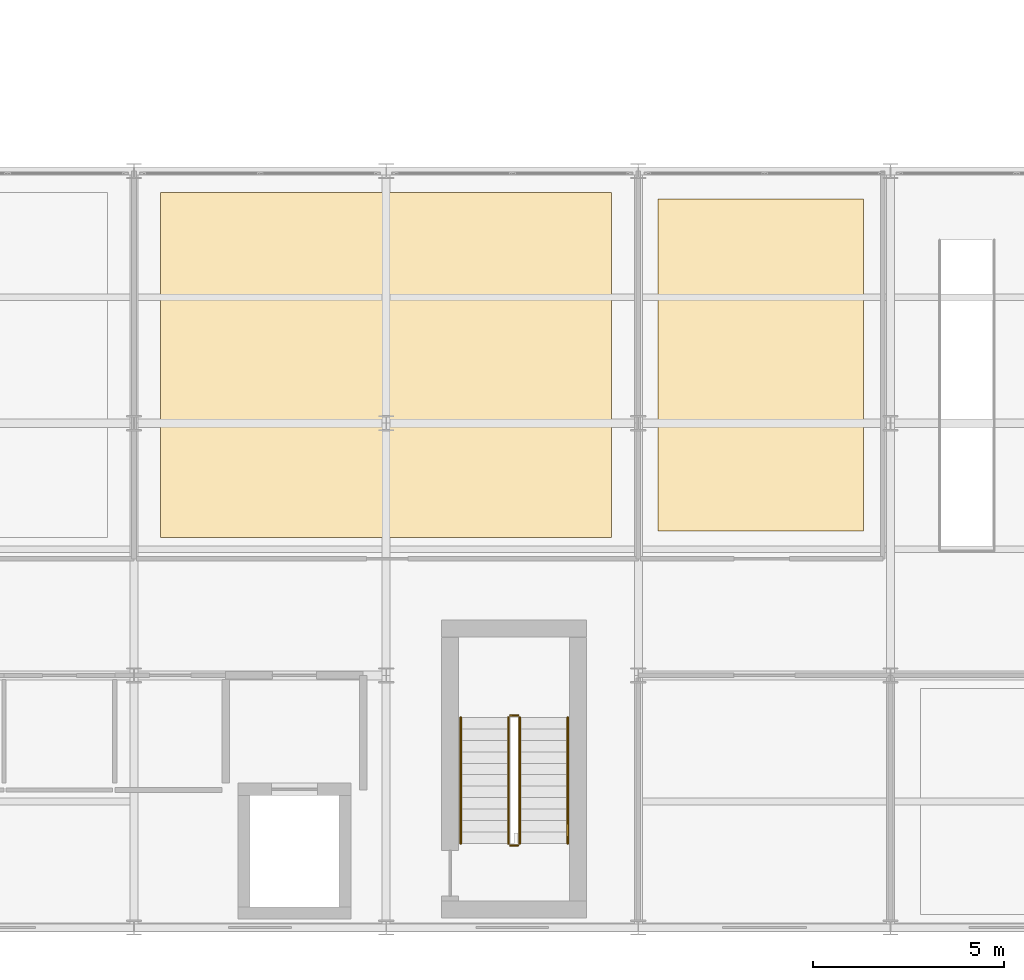
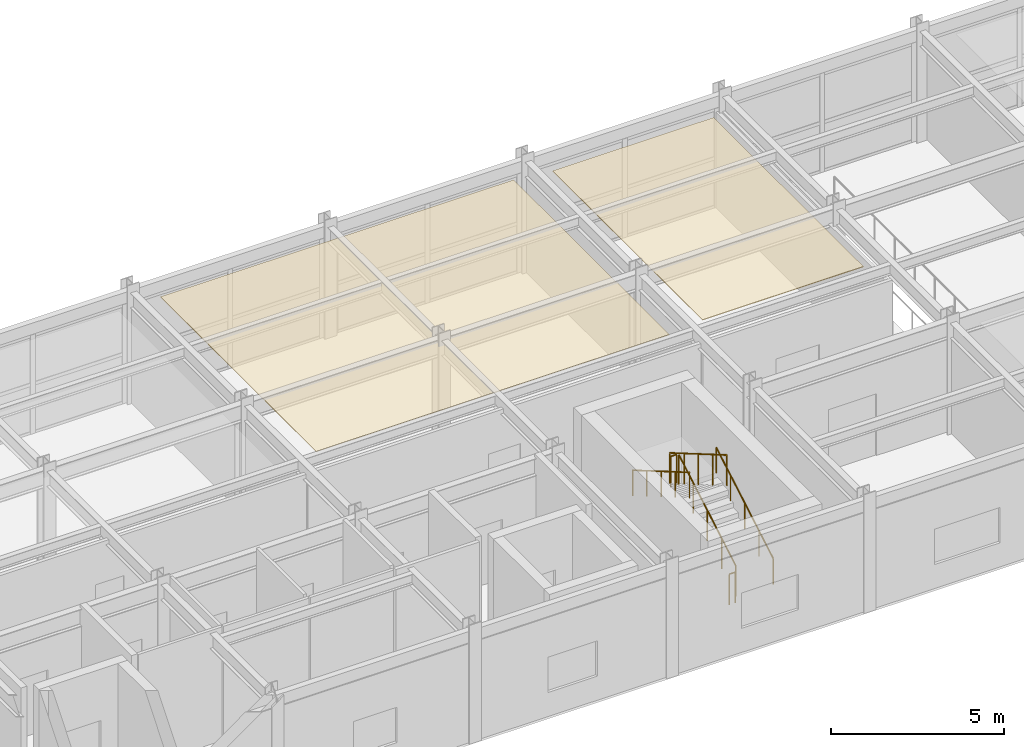
# One storey, part 145 of 147: 6 railings, 2 coverings.
"""IFC4 building model written with IfcOpenShell, lengths in metres."""

from ifc_helpers import new_model, si_unit, direction, frame, origin, origin_2d, place, context, subcontext, project, spatial, polyline, circle, outline, extrude, material, layer, layer_set, type_object, element, save


model = new_model("IFC4")

# Units and contexts
model_context = context("Model", 3, precision=1e-05, world=origin(), true_north=direction((0.0, 1.0)))
body_context = subcontext(model_context, "Body", "Model", "MODEL_VIEW")
ifc_project = project(units=[si_unit("LENGTHUNIT", "METRE"), si_unit("AREAUNIT", "SQUARE_METRE"), si_unit("VOLUMEUNIT", "CUBIC_METRE"), si_unit("PLANEANGLEUNIT", "RADIAN"), si_unit("MASSUNIT", "GRAM", prefix="KILO")], contexts=[model_context])

# Site, building, storey
site_placement = place(None, origin())
site = spatial("IfcSite", under=ifc_project, at=site_placement, CompositionType="ELEMENT")
building_placement = place(site_placement, origin())
building = spatial("IfcBuilding", under=site, at=building_placement, Name="Karori Crest Natural Sciences Institute", CompositionType="ELEMENT")
storey_placement = place(building_placement, frame((0.0, 0.0, 9.10009765625)))
storey = spatial("IfcBuildingStorey", under=building, at=storey_placement, Name="L02", CompositionType="ELEMENT", Elevation=9.10009765625)

# Coverings
ifc_material_1 = material(Name="Acoustic mineral fibre ceiling tile")
ifc_layer = layer(ifc_material_1, 0.02490234375, Name="Acoustic mineral fibre ceiling tile")
ifc_layer_set = layer_set([ifc_layer], Name="Acoustic mineral fibre ceiling tile")
covering_type = type_object("IfcCoveringType", Name="CVT-CEIL", PredefinedType="CEILING", material=ifc_layer_set)
covering_1_placement = place(storey_placement, frame((0.0, 0.0, 3.704833984375)))
element("IfcCovering", 1, at=covering_1_placement, inside=storey, type_object=covering_type, Name="Acoustic ceiling CLG-0013", PredefinedType="CEILING", context=body_context, shape_type="SweptSolid", body=[
    extrude(outline(polyline([(124.09619140625, 20.03515625), (124.09619140625, 11.014892578125), (135.90380859375, 11.014892578125), (135.90380859375, 20.03515625), (124.09619140625, 20.03515625)])), origin(), (0.0, 0.0, 1.0), 0.025146484375),
])
covering_2_placement = place(storey_placement, frame((0.0, 0.0, 3.704833984375)))
element("IfcCovering", 2, at=covering_2_placement, inside=storey, type_object=covering_type, Name="Acoustic ceiling CLG-0014", PredefinedType="CEILING", context=body_context, shape_type="SweptSolid", body=[
    extrude(outline(polyline([(137.10888671875, 19.864990234375), (137.10888671875, 11.184814453125), (142.4912109375, 11.184814453125), (142.4912109375, 19.864990234375), (137.10888671875, 19.864990234375)])), origin(), (0.0, 0.0, 1.0), 0.025146484375),
])

# Railings
ifc_material_2 = material(Name="Stainless steel 316 tubular handrail", Category="steel")
railing_type_1 = type_object("IfcRailingType", Name="RLT-HND", PredefinedType="HANDRAIL", material=ifc_material_2)
railing_1_placement = place(storey_placement, frame((134.75, 3.0, 0.1748046875)))
element("IfcRailing", 3, at=railing_1_placement, inside=storey, type_object=railing_type_1, Name="Stair handrail RL-0182", PredefinedType="HANDRAIL", context=body_context, shape_type="SweptSolid", body=[
    extrude(circle(Radius=0.02392578125, at=origin_2d()), frame((0.0, 0.0, 0.90087890625), z_axis=(0.0, 0.863776583165, 0.503874998761), x_axis=(-1.0, 0.0, 0.0)), (0.0, 0.0, 1.0), 3.820556640625),
    extrude(circle(Radius=0.02099609375, at=origin_2d()), origin(), (0.0, 0.0, 1.0), 0.876953125),
    extrude(circle(Radius=0.02099609375, at=origin_2d()), frame((0.0, 0.824951171875, 0.481201171875)), (0.0, 0.0, 1.0), 0.876953125),
    extrude(circle(Radius=0.02099609375, at=origin_2d()), frame((0.0, 1.64990234375, 0.96240234375)), (0.0, 0.0, 1.0), 0.876953125),
    extrude(circle(Radius=0.02099609375, at=origin_2d()), frame((0.0, 2.47509765625, 1.44384765625)), (0.0, 0.0, 1.0), 0.876953125),
    extrude(circle(Radius=0.02099609375, at=origin_2d()), frame((0.0, 3.300048828125, 1.925048828125)), (0.0, 0.0, 1.0), 0.876953125),
])
railing_2_placement = place(storey_placement, frame((131.949951171875, 6.300048828125, 2.27490234375)))
element("IfcRailing", 4, at=railing_2_placement, inside=storey, type_object=railing_type_1, Name="Stair handrail RL-0183", PredefinedType="HANDRAIL", context=body_context, shape_type="SweptSolid", body=[
    extrude(circle(Radius=0.02392578125, at=origin_2d()), frame((0.0, 0.0, 0.90087890625), z_axis=(0.0, -0.863776583165, 0.503874998761), x_axis=(1.0, 0.0, 0.0)), (0.0, 0.0, 1.0), 3.820556640625),
    extrude(circle(Radius=0.02099609375, at=origin_2d()), origin(), (0.0, 0.0, 1.0), 0.876953125),
    extrude(circle(Radius=0.02099609375, at=origin_2d()), frame((0.0, -0.824951171875, 0.481201171875)), (0.0, 0.0, 1.0), 0.876953125),
    extrude(circle(Radius=0.02099609375, at=origin_2d()), frame((0.0, -1.64990234375, 0.96240234375)), (0.0, 0.0, 1.0), 0.876953125),
    extrude(circle(Radius=0.02099609375, at=origin_2d()), frame((0.0, -2.47509765625, 1.44384765625)), (0.0, 0.0, 1.0), 0.876953125),
    extrude(circle(Radius=0.02099609375, at=origin_2d()), frame((0.0, -3.300048828125, 1.925048828125)), (0.0, 0.0, 1.0), 0.876953125),
])
ifc_material_3 = material(Name="Stainless steel 316 stair guard", Category="steel")
railing_type_2 = type_object("IfcRailingType", Name="RLT-STG", PredefinedType="GUARDRAIL", material=ifc_material_3)
railing_3_placement = place(storey_placement, frame((133.5, 3.0, 0.1748046875)))
element("IfcRailing", 5, at=railing_3_placement, inside=storey, type_object=railing_type_2, Name="Stair guard RL-0178", PredefinedType="GUARDRAIL", context=body_context, shape_type="SweptSolid", body=[
    extrude(circle(Radius=0.02392578125, at=origin_2d()), frame((0.0, 0.0, 1.076171875), z_axis=(0.0, 0.863776583165, 0.503874998761), x_axis=(-1.0, 0.0, 0.0)), (0.0, 0.0, 1.0), 3.820556640625),
    extrude(circle(Radius=0.02099609375, at=origin_2d()), origin(), (0.0, 0.0, 1.0), 1.052001953125),
    extrude(circle(Radius=0.02099609375, at=origin_2d()), frame((0.0, 0.824951171875, 0.481201171875)), (0.0, 0.0, 1.0), 1.052001953125),
    extrude(circle(Radius=0.02099609375, at=origin_2d()), frame((0.0, 1.64990234375, 0.96240234375)), (0.0, 0.0, 1.0), 1.052001953125),
    extrude(circle(Radius=0.02099609375, at=origin_2d()), frame((0.0, 2.47509765625, 1.44384765625)), (0.0, 0.0, 1.0), 1.052001953125),
    extrude(circle(Radius=0.02099609375, at=origin_2d()), frame((0.0, 3.300048828125, 1.925048828125)), (0.0, 0.0, 1.0), 1.052001953125),
])
railing_4_placement = place(storey_placement, frame((133.449951171875, 6.35009765625, 2.099853515625)))
element("IfcRailing", 6, at=railing_4_placement, inside=storey, type_object=railing_type_2, Name="Stair guard RL-0179", PredefinedType="GUARDRAIL", context=body_context, shape_type="SweptSolid", body=[
    extrude(circle(Radius=0.02392578125, at=origin_2d()), frame((0.0, 0.0, 1.076171875), z_axis=(-1.0, 0.0, 0.0), x_axis=(0.0, -1.0, 0.0)), (0.0, 0.0, 1.0), 0.199951171875),
    extrude(circle(Radius=0.02099609375, at=origin_2d()), origin(), (0.0, 0.0, 1.0), 1.052001953125),
    extrude(circle(Radius=0.02099609375, at=origin_2d()), frame((-0.199951171875, 0.0, 0.0)), (0.0, 0.0, 1.0), 1.052001953125),
])
railing_5_placement = place(storey_placement, frame((133.199951171875, 6.300048828125, 2.27490234375)))
element("IfcRailing", 7, at=railing_5_placement, inside=storey, type_object=railing_type_2, Name="Stair guard RL-0180", PredefinedType="GUARDRAIL", context=body_context, shape_type="SweptSolid", body=[
    extrude(circle(Radius=0.02392578125, at=origin_2d()), frame((0.0, 0.0, 1.076171875), z_axis=(0.0, -0.863776583165, 0.503874998761), x_axis=(1.0, 0.0, 0.0)), (0.0, 0.0, 1.0), 3.820556640625),
    extrude(circle(Radius=0.02099609375, at=origin_2d()), origin(), (0.0, 0.0, 1.0), 1.052001953125),
    extrude(circle(Radius=0.02099609375, at=origin_2d()), frame((0.0, -0.824951171875, 0.481201171875)), (0.0, 0.0, 1.0), 1.052001953125),
    extrude(circle(Radius=0.02099609375, at=origin_2d()), frame((0.0, -1.64990234375, 0.96240234375)), (0.0, 0.0, 1.0), 1.052001953125),
    extrude(circle(Radius=0.02099609375, at=origin_2d()), frame((0.0, -2.47509765625, 1.44384765625)), (0.0, 0.0, 1.0), 1.052001953125),
    extrude(circle(Radius=0.02099609375, at=origin_2d()), frame((0.0, -3.300048828125, 1.925048828125)), (0.0, 0.0, 1.0), 1.052001953125),
])
railing_6_placement = place(storey_placement, frame((133.449951171875, 2.949951171875, 0.0)))
element("IfcRailing", 8, at=railing_6_placement, inside=storey, type_object=railing_type_2, Name="Stair guard RL-0181", PredefinedType="GUARDRAIL", context=body_context, shape_type="SweptSolid", body=[
    extrude(circle(Radius=0.02392578125, at=origin_2d()), frame((0.0, 0.0, 1.076171875), z_axis=(-1.0, 0.0, 0.0), x_axis=(0.0, -1.0, 0.0)), (0.0, 0.0, 1.0), 0.199951171875),
    extrude(circle(Radius=0.02099609375, at=origin_2d()), origin(), (0.0, 0.0, 1.0), 1.052001953125),
    extrude(circle(Radius=0.02099609375, at=origin_2d()), frame((-0.199951171875, 0.0, 0.0)), (0.0, 0.0, 1.0), 1.052001953125),
])

save(model, "model.ifc")
